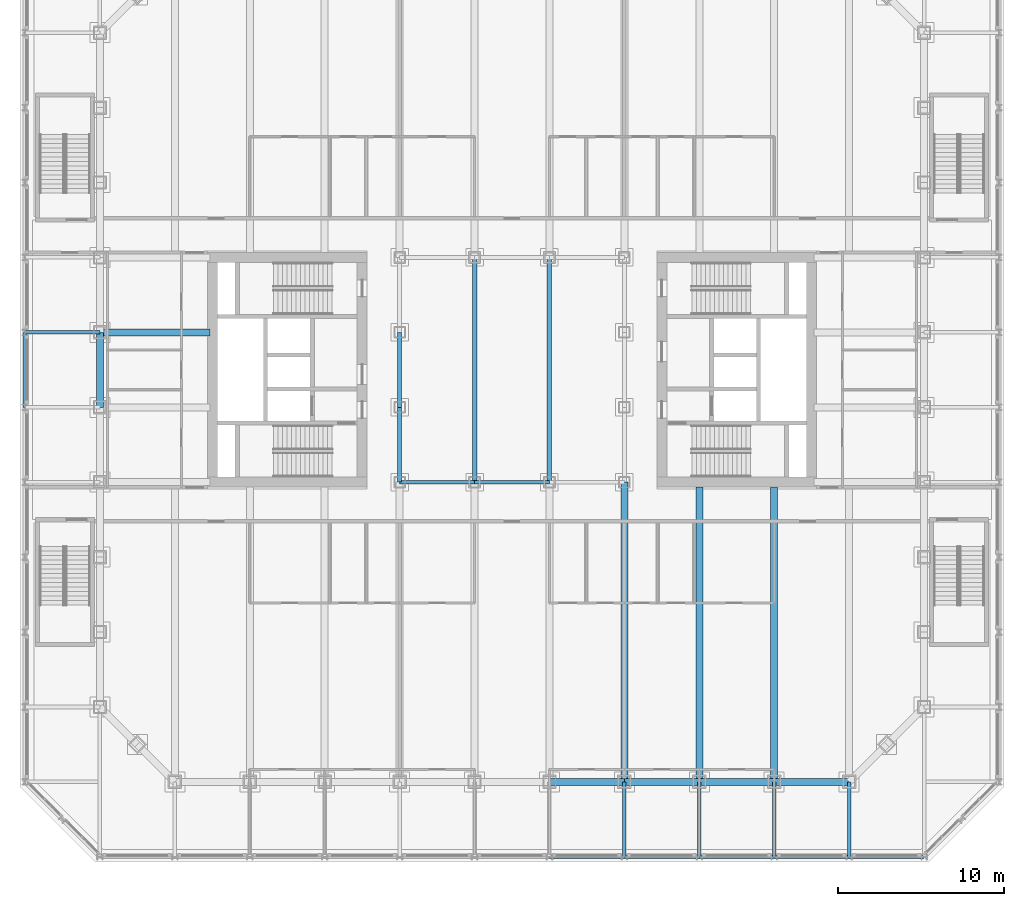
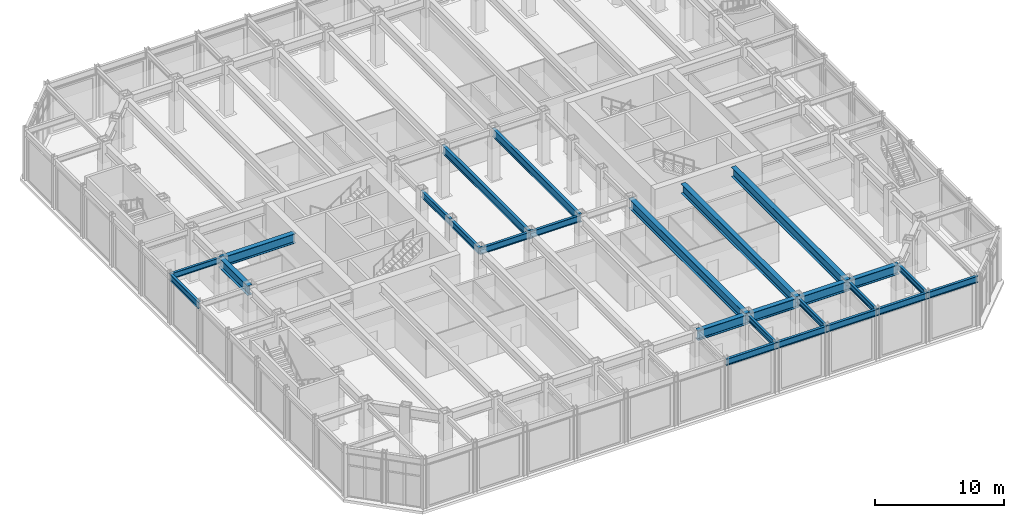
# One storey, part 5 of 19: 26 beams.
"""IFC4 building model written with IfcOpenShell, lengths in metres."""

from ifc_helpers import new_model, si_unit, direction, frame, origin, origin_2d, place, context, subcontext, project, spatial, i_section, extrude, material, material_profile, profile_set, type_object, element, save


model = new_model("IFC4")

# Units and contexts
model_context = context("Model", 3, precision=1e-05, world=origin(), true_north=direction((0.0, 1.0)))
body_context = subcontext(model_context, "Body", "Model", "MODEL_VIEW")
ifc_project = project(units=[si_unit("LENGTHUNIT", "METRE"), si_unit("AREAUNIT", "SQUARE_METRE"), si_unit("VOLUMEUNIT", "CUBIC_METRE"), si_unit("PLANEANGLEUNIT", "RADIAN"), si_unit("MASSUNIT", "GRAM", prefix="KILO")], contexts=[model_context])

# Site, building, storey
site_placement = place(None, origin())
site = spatial("IfcSite", under=ifc_project, at=site_placement, CompositionType="ELEMENT")
building_placement = place(site_placement, origin())
building = spatial("IfcBuilding", under=site, at=building_placement, Name="Msasa Ring Tower", CompositionType="ELEMENT")
storey_placement = place(building_placement, frame((0.0, 0.0, 6.0)))
storey = spatial("IfcBuildingStorey", under=building, at=storey_placement, Name="L01", CompositionType="ELEMENT", Elevation=6.0)

# Beams
ifc_material_1 = material(Name="Steel S355", Category="steel")
ifc_material_profile_1 = material_profile(ifc_material_1, i_section(OverallWidth=0.41845703125, OverallDepth=0.911865234375, WebThickness=0.019287109375, FlangeThickness=0.031982421875, FilletRadius=0.024169921875, at=origin_2d()), Name="UB 914x419x343")
ifc_profile_set_1 = profile_set([ifc_material_profile_1], Name="Steel S355")
beam_type_1 = type_object("IfcBeamType", Name="FB1 UB 914x419x343", PredefinedType="BEAM", material=ifc_profile_set_1)
beam_1_placement = place(storey_placement, frame((6.75, -24.75, 4.294189453125), z_axis=(0.0, 1.0, 0.0), x_axis=(-1.0, 0.0, 0.0)))
element("IfcBeam", 1, at=beam_1_placement, inside=storey, type_object=beam_type_1, Name="Floor beam S+6.75 under L02", PredefinedType="BEAM", context=body_context, shape_type="SweptSolid", body=[
    extrude(i_section(OverallWidth=0.41845703125, OverallDepth=0.911865234375, WebThickness=0.019287109375, FlangeThickness=0.031982421875, FilletRadius=0.024169921875, at=origin_2d()), origin(), (0.0, 0.0, 1.0), 18.0),
])
for number, where, z_axis, x_axis, name in (
    (2, (11.25, -24.75, 4.294189453125), (0.0, 1.0, 0.0), (-1.0, 0.0, 0.0), "Floor beam S+11.25 under L02"),
    (3, (15.75, -24.75, 4.294189453125), (0.0, 1.0, 0.0), (-1.0, 0.0, 0.0), "Floor beam S+15.75 under L02"),
):
    element("IfcBeam", number, at=place(storey_placement, frame(where, z_axis=z_axis, x_axis=x_axis)), inside=storey, type_object=beam_type_1, Name=name, PredefinedType="BEAM", context=body_context, shape_type="SweptSolid", body=[
        extrude(i_section(OverallWidth=0.41845703125, OverallDepth=0.911865234375, WebThickness=0.019287109375, FlangeThickness=0.031982421875, FilletRadius=0.024169921875, at=origin_2d()), origin(), (0.0, 0.0, 1.0), 17.699951171875),
    ])
ifc_material_2 = material(Name="Steel S355", Category="steel")
ifc_material_profile_2 = material_profile(ifc_material_2, i_section(OverallWidth=0.42041015625, OverallDepth=0.9208984375, WebThickness=0.021484375, FlangeThickness=0.03662109375, FilletRadius=0.024169921875, at=origin_2d()), Name="UB 914x419x388")
ifc_profile_set_2 = profile_set([ifc_material_profile_2], Name="Steel S355")
beam_type_2 = type_object("IfcBeamType", Name="FB2 UB 914x419x388", PredefinedType="BEAM", material=ifc_profile_set_2)
beam_2_placement = place(storey_placement, frame((-24.75, 2.25, 4.28955078125), z_axis=(1.0, 0.0, 0.0), x_axis=(0.0, 1.0, 0.0)))
element("IfcBeam", 4, at=beam_2_placement, inside=storey, type_object=beam_type_2, Name="Floor beam W +2.25 under L02", PredefinedType="BEAM", context=body_context, shape_type="SweptSolid", body=[
    extrude(i_section(OverallWidth=0.42041015625, OverallDepth=0.9208984375, WebThickness=0.021484375, FlangeThickness=0.03662109375, FilletRadius=0.024169921875, at=origin_2d()), origin(), (0.0, 0.0, 1.0), 6.60009765625),
])
ifc_material_3 = material(Name="Steel S355", Category="steel")
ifc_material_profile_3 = material_profile(ifc_material_3, i_section(OverallWidth=0.2119140625, OverallDepth=0.54443359375, WebThickness=0.0126953125, FlangeThickness=0.021240234375, FilletRadius=0.0126953125, at=origin_2d()), Name="UB 533x210x122")
ifc_profile_set_3 = profile_set([ifc_material_profile_3], Name="Steel S355")
beam_type_3 = type_object("IfcBeamType", Name="PB1 UB 533x210x122", PredefinedType="BEAM", material=ifc_profile_set_3)
for number, where, z_axis, x_axis, name in (
    (5, (-29.25, 2.25, 4.477783203125), (1.0, 0.0, 0.0), (0.0, 1.0, 0.0), "Podium beam W+2.25 under L02"),
    (6, (6.75, -29.25, 4.477783203125), (0.0, 1.0, 0.0), (-1.0, 0.0, 0.0), "Podium beam S+6.75 under L02"),
    (7, (11.25, -29.25, 4.477783203125), (0.0, 1.0, 0.0), (-1.0, 0.0, 0.0), "Podium beam S+11.25 under L02"),
    (8, (15.75, -29.25, 4.477783203125), (0.0, 1.0, 0.0), (-1.0, 0.0, 0.0), "Podium beam S+15.75 under L02"),
    (9, (20.25, -29.25, 4.477783203125), (0.0, 1.0, 0.0), (-1.0, 0.0, 0.0), "Podium beam S+20.25 under L02"),
):
    element("IfcBeam", number, at=place(storey_placement, frame(where, z_axis=z_axis, x_axis=x_axis)), inside=storey, type_object=beam_type_3, Name=name, PredefinedType="BEAM", context=body_context, shape_type="SweptSolid", body=[
        extrude(i_section(OverallWidth=0.2119140625, OverallDepth=0.54443359375, WebThickness=0.0126953125, FlangeThickness=0.021240234375, FilletRadius=0.0126953125, at=origin_2d()), origin(), (0.0, 0.0, 1.0), 4.5),
    ])
ifc_material_4 = material(Name="Steel S355", Category="steel")
ifc_material_profile_4 = material_profile(ifc_material_4, i_section(OverallWidth=0.230224609375, OverallDepth=0.6171875, WebThickness=0.01318359375, FlangeThickness=0.022216796875, FilletRadius=0.0126953125, at=origin_2d()), Name="UB 610x229x140")
ifc_profile_set_4 = profile_set([ifc_material_profile_4], Name="Steel S355")
beam_type_4 = type_object("IfcBeamType", Name="RB1 UB 610x229x140", PredefinedType="BEAM", material=ifc_profile_set_4)
for number, where, z_axis, x_axis, name in (
    (10, (-6.75, -2.25, 4.44140625), (0.0, -1.0, 0.0), (1.0, 0.0, 0.0), "Inner ring beam IR-6.75-2.25 under L02"),
    (11, (-6.75, -6.75, 4.44140625), (1.0, 0.0, 0.0), (0.0, 1.0, 0.0), "Inner ring beam IR-6.75-6.75 under L02"),
    (12, (-2.25, -6.75, 4.44140625), (1.0, 0.0, 0.0), (0.0, 1.0, 0.0), "Inner ring beam IR-2.25-6.75 under L02"),
    (13, (-6.75, 2.25, 4.44140625), (0.0, -1.0, 0.0), (1.0, 0.0, 0.0), "Inner ring beam IR-6.75+2.25 under L02"),
):
    element("IfcBeam", number, at=place(storey_placement, frame(where, z_axis=z_axis, x_axis=x_axis)), inside=storey, type_object=beam_type_4, Name=name, PredefinedType="BEAM", context=body_context, shape_type="SweptSolid", body=[
        extrude(i_section(OverallWidth=0.230224609375, OverallDepth=0.6171875, WebThickness=0.01318359375, FlangeThickness=0.022216796875, FilletRadius=0.0126953125, at=origin_2d()), origin(), (0.0, 0.0, 1.0), 4.5),
    ])
ifc_material_5 = material(Name="Steel S355", Category="steel")
ifc_material_profile_5 = material_profile(ifc_material_5, i_section(OverallWidth=0.42041015625, OverallDepth=0.9208984375, WebThickness=0.021484375, FlangeThickness=0.03662109375, FilletRadius=0.024169921875, at=origin_2d()), Name="UB 914x419x388")
ifc_profile_set_5 = profile_set([ifc_material_profile_5], Name="Steel S355")
beam_type_5 = type_object("IfcBeamType", Name="SB1 UB 914x419x388", PredefinedType="SPANDREL", material=ifc_profile_set_5)
for number, where, z_axis, x_axis, name in (
    (14, (2.25, -24.75, 4.28955078125), (1.0, 0.0, 0.0), (0.0, 1.0, 0.0), "Spandrel S+2.25 to S+6.75 under L02"),
    (15, (6.75, -24.75, 4.28955078125), (1.0, 0.0, 0.0), (0.0, 1.0, 0.0), "Spandrel S+6.75 to S+11.25 under L02"),
    (16, (11.25, -24.75, 4.28955078125), (1.0, 0.0, 0.0), (0.0, 1.0, 0.0), "Spandrel S+11.25 to S+15.75 under L02"),
    (17, (15.75, -24.75, 4.28955078125), (1.0, 0.0, 0.0), (0.0, 1.0, 0.0), "Spandrel S+15.75 to S+20.25 under L02"),
    (18, (-24.75, 2.25, 4.28955078125), (0.0, -1.0, 0.0), (1.0, 0.0, 0.0), "Spandrel W+2.25 to W-2.25 under L02"),
):
    element("IfcBeam", number, at=place(storey_placement, frame(where, z_axis=z_axis, x_axis=x_axis)), inside=storey, type_object=beam_type_5, Name=name, PredefinedType="SPANDREL", context=body_context, shape_type="SweptSolid", body=[
        extrude(i_section(OverallWidth=0.42041015625, OverallDepth=0.9208984375, WebThickness=0.021484375, FlangeThickness=0.03662109375, FilletRadius=0.024169921875, at=origin_2d()), origin(), (0.0, 0.0, 1.0), 4.5),
    ])
ifc_material_6 = material(Name="Steel S355", Category="steel")
ifc_material_profile_6 = material_profile(ifc_material_6, i_section(OverallWidth=0.230224609375, OverallDepth=0.6171875, WebThickness=0.01318359375, FlangeThickness=0.022216796875, FilletRadius=0.0126953125, at=origin_2d()), Name="UB 610x229x140")
ifc_profile_set_6 = profile_set([ifc_material_profile_6], Name="Steel S355")
beam_type_6 = type_object("IfcBeamType", Name="SB2 UB 610x229x140", PredefinedType="SPANDREL", material=ifc_profile_set_6)
for number, where, z_axis, x_axis, name in (
    (19, (2.25, -29.25, 4.44140625), (1.0, 0.0, 0.0), (0.0, 1.0, 0.0), "Podium spandrel S+2.25 under L02"),
    (20, (6.75, -29.25, 4.44140625), (1.0, 0.0, 0.0), (0.0, 1.0, 0.0), "Podium spandrel S+6.75 under L02"),
    (21, (11.25, -29.25, 4.44140625), (1.0, 0.0, 0.0), (0.0, 1.0, 0.0), "Podium spandrel S+11.25 under L02"),
    (22, (15.75, -29.25, 4.44140625), (1.0, 0.0, 0.0), (0.0, 1.0, 0.0), "Podium spandrel S+15.75 under L02"),
    (23, (20.25, -29.25, 4.44140625), (1.0, 0.0, 0.0), (0.0, 1.0, 0.0), "Podium spandrel S+20.25 under L02"),
    (24, (-29.25, 2.25, 4.44140625), (0.0, -1.0, 0.0), (1.0, 0.0, 0.0), "Podium spandrel W+2.25 under L02"),
):
    element("IfcBeam", number, at=place(storey_placement, frame(where, z_axis=z_axis, x_axis=x_axis)), inside=storey, type_object=beam_type_6, Name=name, PredefinedType="SPANDREL", context=body_context, shape_type="SweptSolid", body=[
        extrude(i_section(OverallWidth=0.230224609375, OverallDepth=0.6171875, WebThickness=0.01318359375, FlangeThickness=0.022216796875, FilletRadius=0.0126953125, at=origin_2d()), origin(), (0.0, 0.0, 1.0), 4.5),
    ])
ifc_material_7 = material(Name="Steel S355", Category="steel")
ifc_material_profile_7 = material_profile(ifc_material_7, i_section(OverallWidth=0.26806640625, OverallDepth=0.769775390625, WebThickness=0.015625, FlangeThickness=0.025390625, FilletRadius=0.0166015625, at=origin_2d()), Name="UB 762x267x197")
ifc_profile_set_7 = profile_set([ifc_material_profile_7], Name="Steel S355")
beam_type_7 = type_object("IfcBeamType", Name="WB1 UB 762x267x197", PredefinedType="BEAM", material=ifc_profile_set_7)
for number, where, z_axis, x_axis, name in (
    (25, (-2.25, -6.75, 4.364990234375), (0.0, 1.0, 0.0), (-1.0, 0.0, 0.0), "Well beam -2.25 under L02"),
    (26, (2.25, -6.75, 4.364990234375), (0.0, 1.0, 0.0), (-1.0, 0.0, 0.0), "Well beam +2.25 under L02"),
):
    element("IfcBeam", number, at=place(storey_placement, frame(where, z_axis=z_axis, x_axis=x_axis)), inside=storey, type_object=beam_type_7, Name=name, PredefinedType="BEAM", context=body_context, shape_type="SweptSolid", body=[
        extrude(i_section(OverallWidth=0.26806640625, OverallDepth=0.769775390625, WebThickness=0.015625, FlangeThickness=0.025390625, FilletRadius=0.0166015625, at=origin_2d()), origin(), (0.0, 0.0, 1.0), 13.5),
    ])

save(model, "model.ifc")
